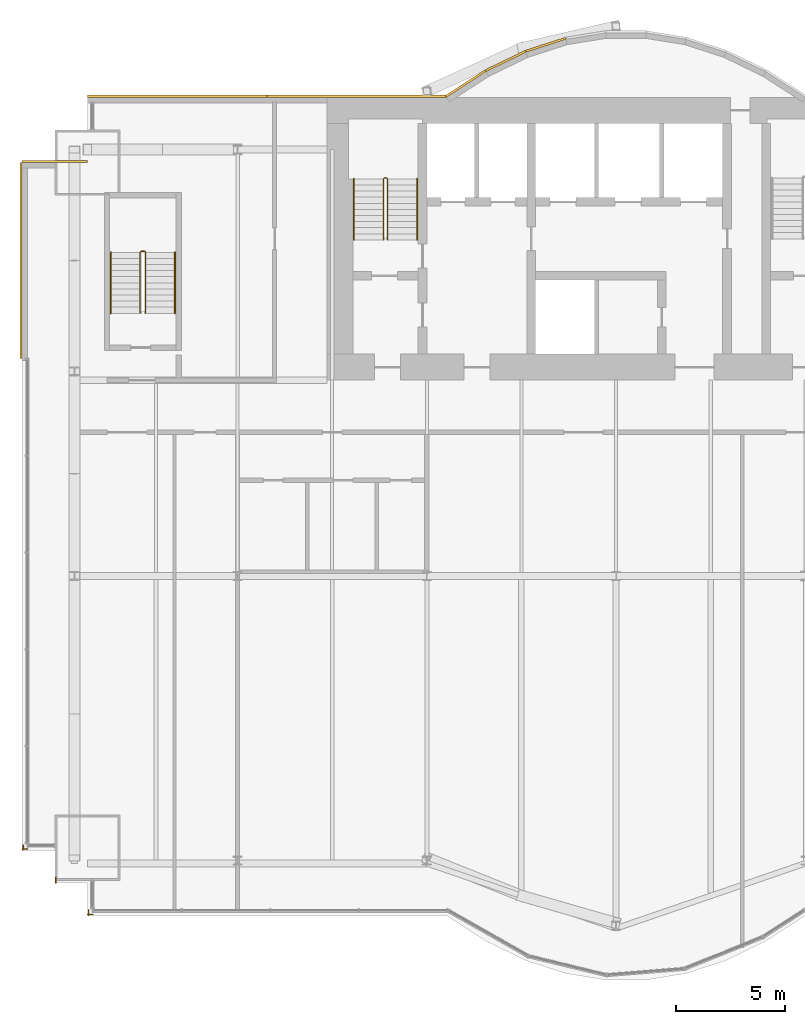
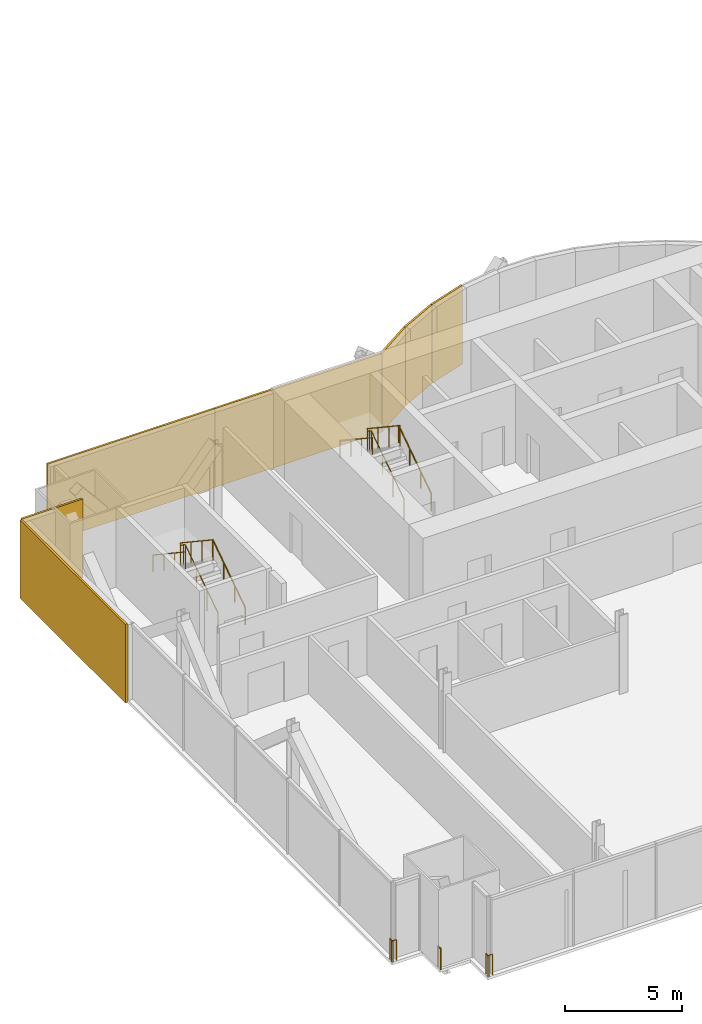
# One storey, part 19 of 21: 9 railings, 7 coverings.
"""IFC4 building model written with IfcOpenShell, lengths in metres."""

from ifc_helpers import new_model, si_unit, direction, frame, origin, origin_2d, place, context, subcontext, project, spatial, rectangle, circle, extrude, material, layer, layer_set, type_object, element, save


model = new_model("IFC4")

# Units and contexts
model_context = context("Model", 3, precision=1e-05, world=origin(), true_north=direction((0.0, 1.0)))
body_context = subcontext(model_context, "Body", "Model", "MODEL_VIEW")
ifc_project = project(units=[si_unit("LENGTHUNIT", "METRE"), si_unit("AREAUNIT", "SQUARE_METRE"), si_unit("VOLUMEUNIT", "CUBIC_METRE"), si_unit("PLANEANGLEUNIT", "RADIAN"), si_unit("MASSUNIT", "GRAM", prefix="KILO")], contexts=[model_context])

# Site, building, storey
site_placement = place(None, origin())
site = spatial("IfcSite", under=ifc_project, at=site_placement, CompositionType="ELEMENT")
building_placement = place(site_placement, origin())
building = spatial("IfcBuilding", under=site, at=building_placement, Name="Bicima Exchange Tower", CompositionType="ELEMENT")
storey_placement = place(building_placement, frame((0.0, 0.0, 114.5)))
storey = spatial("IfcBuildingStorey", under=building, at=storey_placement, Name="L24", CompositionType="ELEMENT", Elevation=114.5)

# Coverings
ifc_material_1 = material(Name="Bronze metal cladding")
ifc_layer_1 = layer(ifc_material_1, 0.004)
ifc_material_2 = material(Name="Ventilated cavity")
ifc_layer_2 = layer(ifc_material_2, 0.06)
ifc_material_3 = material(Name="Galvanised steel rail and mineral wool", Category="steel")
ifc_layer_3 = layer(ifc_material_3, 0.036)
ifc_layer_set = layer_set([ifc_layer_1, ifc_layer_2, ifc_layer_3], Name="Ventilated cavity")
covering_type = type_object("IfcCoveringType", Name="Bronze metal cladding panel 100", PredefinedType="CLADDING", material=ifc_layer_set)
covering_1_placement = place(storey_placement, frame((-11.931884765625, 2.41796875, -0.150146484375), z_axis=(0.0, 0.0, 1.0), x_axis=(-0.951524642381, -0.307572519808, 0.0)))
element("IfcCovering", 1, at=covering_1_placement, inside=storey, type_object=covering_type, Name="Bronze cladding L24 17.1", PredefinedType="CLADDING", context=body_context, shape_type="SweptSolid", body=[
    extrude(rectangle(XDim=1.9267578125, YDim=0.10009765625, at=origin_2d()), origin(), (0.0, 0.0, 1.0), 4.10009765625),
])
covering_2_placement = place(storey_placement, frame((-13.771728515625, 1.674560546875, -0.150146484375), z_axis=(0.0, 0.0, 1.0), x_axis=(-0.899818346812, -0.436264762204, 0.0)))
element("IfcCovering", 2, at=covering_2_placement, inside=storey, type_object=covering_type, Name="Bronze cladding L24 18.1", PredefinedType="CLADDING", context=body_context, shape_type="SweptSolid", body=[
    extrude(rectangle(XDim=2.03759765625, YDim=0.10009765625, at=origin_2d()), origin(), (0.0, 0.0, 1.0), 4.10009765625),
])
covering_3_placement = place(storey_placement, frame((-15.610595703125, 0.634521484375, -0.150146484375), z_axis=(0.0, 0.0, 1.0), x_axis=(-0.839790466384, -0.542910648791, 0.0)))
element("IfcCovering", 3, at=covering_3_placement, inside=storey, type_object=covering_type, Name="Bronze cladding L24 19.1", PredefinedType="CLADDING", context=body_context, shape_type="SweptSolid", body=[
    extrude(rectangle(XDim=2.18310546875, YDim=0.10009765625, at=origin_2d()), origin(), (0.0, 0.0, 1.0), 4.10009765625),
])
for number, where, z_axis, x_axis, name in (
    (4, (-20.625, 0.050048828125, -0.150146484375), (0.0, 0.0, 1.0), (-1.0, 0.0, 0.0), "Bronze cladding L24 20.1"),
    (5, (-28.875, 0.050048828125, -0.150146484375), (0.0, 0.0, 1.0), (-1.0, 0.0, 0.0), "Bronze cladding L24 20.2"),
):
    element("IfcCovering", number, at=place(storey_placement, frame(where, z_axis=z_axis, x_axis=x_axis)), inside=storey, type_object=covering_type, Name=name, PredefinedType="CLADDING", context=body_context, shape_type="SweptSolid", body=[
        extrude(rectangle(XDim=8.25, YDim=0.10009765625, at=origin_2d()), origin(), (0.0, 0.0, 1.0), 4.10009765625),
    ])
covering_4_placement = place(storey_placement, frame((-34.5, -2.949951171875, -0.150146484375), z_axis=(0.0, 0.0, 1.0), x_axis=(-1.0, 0.0, 0.0)))
element("IfcCovering", 6, at=covering_4_placement, inside=storey, type_object=covering_type, Name="Bronze cladding L24 22.1", PredefinedType="CLADDING", context=body_context, shape_type="SweptSolid", body=[
    extrude(rectangle(XDim=3.0, YDim=0.10009765625, at=origin_2d()), origin(), (0.0, 0.0, 1.0), 4.10009765625),
])
covering_5_placement = place(storey_placement, frame((-36.050048828125, -7.5, -0.150146484375), z_axis=(0.0, 0.0, 1.0), x_axis=(0.0, -1.0, 0.0)))
element("IfcCovering", 7, at=covering_5_placement, inside=storey, type_object=covering_type, Name="Bronze cladding L24 23.1", PredefinedType="CLADDING", context=body_context, shape_type="SweptSolid", body=[
    extrude(rectangle(XDim=9.0, YDim=0.10009765625, at=origin_2d()), origin(), (0.0, 0.0, 1.0), 4.10009765625),
])

# Railings
ifc_material_4 = material(Name="Stainless steel and bonded safety glass", Category="steel")
railing_type_1 = type_object("IfcRailingType", Name="Edge guard 1100", PredefinedType="GUARDRAIL", material=ifc_material_4)
railing_1_placement = place(storey_placement, frame((-35.75, -34.55810546875, 0.0)))
element("IfcRailing", 8, at=railing_1_placement, inside=storey, type_object=railing_type_1, Name="Edge guard L24 115", PredefinedType="GUARDRAIL", context=body_context, shape_type="SweptSolid", body=[
    extrude(circle(Radius=0.02392578125, at=origin_2d()), frame((0.0, 0.0, 1.076171875), z_axis=(-1.0, 0.0, 0.0), x_axis=(0.0, -1.0, 0.0)), (0.0, 0.0, 1.0), 0.25),
    extrude(circle(Radius=0.02392578125, at=origin_2d()), frame((-0.25, 0.0, 1.076171875), z_axis=(0.708833529934, -0.705375805398, 0.0), x_axis=(0.705375805398, 0.708833529934, 0.0)), (0.0, 0.0, 1.0), 0.070556640625),
    extrude(circle(Radius=0.02392578125, at=origin_2d()), frame((-0.199951171875, -0.0498046875, 1.076171875), z_axis=(0.0, 1.0, 0.0), x_axis=(-1.0, 0.0, 0.0)), (0.0, 0.0, 1.0), 0.2490234375),
    extrude(circle(Radius=0.02099609375, at=origin_2d()), origin(), (0.0, 0.0, 1.0), 1.052001953125),
    extrude(circle(Radius=0.02099609375, at=origin_2d()), frame((-0.25, 0.0, 0.0)), (0.0, 0.0, 1.0), 1.052001953125),
    extrude(circle(Radius=0.02099609375, at=origin_2d()), frame((-0.199951171875, -0.0498046875, 0.0)), (0.0, 0.0, 1.0), 1.052001953125),
    extrude(circle(Radius=0.02099609375, at=origin_2d()), frame((-0.199951171875, 0.19921875, 0.0)), (0.0, 0.0, 1.0), 1.052001953125),
])
railing_2_placement = place(storey_placement, frame((-32.75, -37.55810546875, 0.0)))
element("IfcRailing", 9, at=railing_2_placement, inside=storey, type_object=railing_type_1, Name="Edge guard L24 119", PredefinedType="GUARDRAIL", context=body_context, shape_type="SweptSolid", body=[
    extrude(circle(Radius=0.02392578125, at=origin_2d()), frame((0.0, 0.0, 1.076171875), z_axis=(-1.0, 0.0, 0.0), x_axis=(0.0, -1.0, 0.0)), (0.0, 0.0, 1.0), 0.25),
    extrude(circle(Radius=0.02392578125, at=origin_2d()), frame((-0.25, 0.0, 1.076171875), z_axis=(0.708833529934, -0.705375805398, 0.0), x_axis=(0.705375805398, 0.708833529934, 0.0)), (0.0, 0.0, 1.0), 0.070556640625),
    extrude(circle(Radius=0.02392578125, at=origin_2d()), frame((-0.199951171875, -0.0498046875, 1.076171875), z_axis=(0.0, 1.0, 0.0), x_axis=(-1.0, 0.0, 0.0)), (0.0, 0.0, 1.0), 0.25),
    extrude(circle(Radius=0.02099609375, at=origin_2d()), origin(), (0.0, 0.0, 1.0), 1.052001953125),
    extrude(circle(Radius=0.02099609375, at=origin_2d()), frame((-0.25, 0.0, 0.0)), (0.0, 0.0, 1.0), 1.052001953125),
    extrude(circle(Radius=0.02099609375, at=origin_2d()), frame((-0.199951171875, -0.0498046875, 0.0)), (0.0, 0.0, 1.0), 1.052001953125),
    extrude(circle(Radius=0.02099609375, at=origin_2d()), frame((-0.199951171875, 0.2001953125, 0.0)), (0.0, 0.0, 1.0), 1.052001953125),
])
railing_3_placement = place(storey_placement, frame((-34.449951171875, -36.10791015625, 0.0)))
element("IfcRailing", 10, at=railing_3_placement, inside=storey, type_object=railing_type_1, Name="Edge guard L24 120", PredefinedType="GUARDRAIL", context=body_context, shape_type="SweptSolid", body=[
    extrude(circle(Radius=0.02392578125, at=origin_2d()), frame((0.0, 0.0, 1.076171875), z_axis=(0.0, 1.0, 0.0), x_axis=(-1.0, 0.0, 0.0)), (0.0, 0.0, 1.0), 0.25),
    extrude(circle(Radius=0.02099609375, at=origin_2d()), origin(), (0.0, 0.0, 1.0), 1.052001953125),
    extrude(circle(Radius=0.02099609375, at=origin_2d()), frame((0.0, 0.25, 0.0)), (0.0, 0.0, 1.0), 1.052001953125),
])
ifc_material_5 = material(Name="Stainless steel", Category="steel")
railing_type_2 = type_object("IfcRailingType", Name="Stair guard 1100", PredefinedType="GUARDRAIL", material=ifc_material_5)
railing_4_placement = place(storey_placement, frame((-19.199951171875, -6.550048828125, 0.186279296875)))
element("IfcRailing", 11, at=railing_4_placement, inside=storey, type_object=railing_type_2, Name="L24 ST-W stair guard 1", PredefinedType="GUARDRAIL", context=body_context, shape_type="SweptSolid", body=[
    extrude(circle(Radius=0.02392578125, at=origin_2d()), frame((0.0, 0.0, 1.076171875), z_axis=(0.0, 0.832452072856, 0.554097055034), x_axis=(-1.0, 0.0, 0.0)), (0.0, 0.0, 1.0), 3.363525390625),
    extrude(circle(Radius=0.02392578125, at=origin_2d()), frame((0.0, 2.800048828125, 2.93994140625), z_axis=(-0.707106781187, 0.707106781187, 0.0), x_axis=(-0.707106781187, -0.707106781187, 0.0)), (0.0, 0.0, 1.0), 0.07080078125),
    extrude(circle(Radius=0.02392578125, at=origin_2d()), frame((-0.050048828125, 2.85009765625, 2.93994140625), z_axis=(-1.0, 0.0, 0.0), x_axis=(0.0, -1.0, 0.0)), (0.0, 0.0, 1.0), 0.10009765625),
    extrude(circle(Radius=0.02392578125, at=origin_2d()), frame((-0.150146484375, 2.85009765625, 2.93994140625), z_axis=(-0.250008635948, -0.251234168477, 0.935081319748), x_axis=(0.708833529934, -0.705375805398, 0.0)), (0.0, 0.0, 1.0), 0.19921875),
    extrude(circle(Radius=0.02392578125, at=origin_2d()), frame((-0.199951171875, 2.800048828125, 3.1259765625), z_axis=(0.0, -0.832452072856, 0.554097055034), x_axis=(1.0, 0.0, 0.0)), (0.0, 0.0, 1.0), 3.363525390625),
    extrude(circle(Radius=0.02099609375, at=origin_2d()), origin(), (0.0, 0.0, 1.0), 1.052001953125),
    extrude(circle(Radius=0.02099609375, at=origin_2d()), frame((0.0, 0.933349609375, 0.621337890625)), (0.0, 0.0, 1.0), 1.052001953125),
    extrude(circle(Radius=0.02099609375, at=origin_2d()), frame((0.0, 1.86669921875, 1.242431640625)), (0.0, 0.0, 1.0), 1.052001953125),
    extrude(circle(Radius=0.02099609375, at=origin_2d()), frame((0.0, 2.800048828125, 1.86376953125)), (0.0, 0.0, 1.0), 1.052001953125),
    extrude(circle(Radius=0.02099609375, at=origin_2d()), frame((-0.050048828125, 2.85009765625, 1.86376953125)), (0.0, 0.0, 1.0), 1.052001953125),
    extrude(circle(Radius=0.02099609375, at=origin_2d()), frame((-0.150146484375, 2.85009765625, 1.86376953125)), (0.0, 0.0, 1.0), 1.052001953125),
    extrude(circle(Radius=0.02099609375, at=origin_2d()), frame((-0.199951171875, 2.800048828125, 2.050048828125)), (0.0, 0.0, 1.0), 1.052001953125),
    extrude(circle(Radius=0.02099609375, at=origin_2d()), frame((-0.199951171875, 1.86669921875, 2.67138671875)), (0.0, 0.0, 1.0), 1.052001953125),
    extrude(circle(Radius=0.02099609375, at=origin_2d()), frame((-0.199951171875, 0.933349609375, 3.29248046875)), (0.0, 0.0, 1.0), 1.052001953125),
    extrude(circle(Radius=0.02099609375, at=origin_2d()), frame((-0.199951171875, 0.0, 3.913818359375)), (0.0, 0.0, 1.0), 1.052001953125),
])
railing_5_placement = place(storey_placement, frame((-30.324951171875, -9.925048828125, 0.186279296875)))
element("IfcRailing", 12, at=railing_5_placement, inside=storey, type_object=railing_type_2, Name="L24 ST-WW stair guard 1", PredefinedType="GUARDRAIL", context=body_context, shape_type="SweptSolid", body=[
    extrude(circle(Radius=0.02392578125, at=origin_2d()), frame((0.0, 0.0, 1.076171875), z_axis=(0.0, 0.832452072856, 0.554097055034), x_axis=(-1.0, 0.0, 0.0)), (0.0, 0.0, 1.0), 3.363525390625),
    extrude(circle(Radius=0.02392578125, at=origin_2d()), frame((0.0, 2.800048828125, 2.93994140625), z_axis=(-0.707106781187, 0.707106781187, 0.0), x_axis=(-0.707106781187, -0.707106781187, 0.0)), (0.0, 0.0, 1.0), 0.07080078125),
    extrude(circle(Radius=0.02392578125, at=origin_2d()), frame((-0.050048828125, 2.85009765625, 2.93994140625), z_axis=(-1.0, 0.0, 0.0), x_axis=(0.0, -1.0, 0.0)), (0.0, 0.0, 1.0), 0.14990234375),
    extrude(circle(Radius=0.02392578125, at=origin_2d()), frame((-0.199951171875, 2.85009765625, 2.93994140625), z_axis=(-0.251157038772, -0.251157038772, 0.934794246747), x_axis=(0.707106781187, -0.707106781187, 0.0)), (0.0, 0.0, 1.0), 0.19921875),
    extrude(circle(Radius=0.02392578125, at=origin_2d()), frame((-0.25, 2.800048828125, 3.1259765625), z_axis=(0.0, -0.832452072856, 0.554097055034), x_axis=(1.0, 0.0, 0.0)), (0.0, 0.0, 1.0), 3.363525390625),
    extrude(circle(Radius=0.02099609375, at=origin_2d()), origin(), (0.0, 0.0, 1.0), 1.052001953125),
    extrude(circle(Radius=0.02099609375, at=origin_2d()), frame((0.0, 0.933349609375, 0.621337890625)), (0.0, 0.0, 1.0), 1.052001953125),
    extrude(circle(Radius=0.02099609375, at=origin_2d()), frame((0.0, 1.86669921875, 1.242431640625)), (0.0, 0.0, 1.0), 1.052001953125),
    extrude(circle(Radius=0.02099609375, at=origin_2d()), frame((0.0, 2.800048828125, 1.86376953125)), (0.0, 0.0, 1.0), 1.052001953125),
    extrude(circle(Radius=0.02099609375, at=origin_2d()), frame((-0.050048828125, 2.85009765625, 1.86376953125)), (0.0, 0.0, 1.0), 1.052001953125),
    extrude(circle(Radius=0.02099609375, at=origin_2d()), frame((-0.199951171875, 2.85009765625, 1.86376953125)), (0.0, 0.0, 1.0), 1.052001953125),
    extrude(circle(Radius=0.02099609375, at=origin_2d()), frame((-0.25, 2.800048828125, 2.050048828125)), (0.0, 0.0, 1.0), 1.052001953125),
    extrude(circle(Radius=0.02099609375, at=origin_2d()), frame((-0.25, 1.86669921875, 2.67138671875)), (0.0, 0.0, 1.0), 1.052001953125),
    extrude(circle(Radius=0.02099609375, at=origin_2d()), frame((-0.25, 0.933349609375, 3.29248046875)), (0.0, 0.0, 1.0), 1.052001953125),
    extrude(circle(Radius=0.02099609375, at=origin_2d()), frame((-0.25, 0.0, 3.913818359375)), (0.0, 0.0, 1.0), 1.052001953125),
])
railing_type_3 = type_object("IfcRailingType", Name="Stair handrail 900", PredefinedType="HANDRAIL", material=ifc_material_5)
railing_6_placement = place(storey_placement, frame((-17.85009765625, -6.550048828125, 0.186279296875)))
element("IfcRailing", 13, at=railing_6_placement, inside=storey, type_object=railing_type_3, Name="L24 ST-W stair handrail 1", PredefinedType="HANDRAIL", context=body_context, shape_type="SweptSolid", body=[
    extrude(circle(Radius=0.02392578125, at=origin_2d()), frame((0.0, 0.0, 0.8759765625), z_axis=(0.0, 0.832452072856, 0.554097055034), x_axis=(-1.0, 0.0, 0.0)), (0.0, 0.0, 1.0), 3.363525390625),
    extrude(circle(Radius=0.02099609375, at=origin_2d()), origin(), (0.0, 0.0, 1.0), 0.851806640625),
    extrude(circle(Radius=0.02099609375, at=origin_2d()), frame((0.0, 0.933349609375, 0.621337890625)), (0.0, 0.0, 1.0), 0.851806640625),
    extrude(circle(Radius=0.02099609375, at=origin_2d()), frame((0.0, 1.86669921875, 1.242431640625)), (0.0, 0.0, 1.0), 0.851806640625),
    extrude(circle(Radius=0.02099609375, at=origin_2d()), frame((0.0, 2.800048828125, 1.86376953125)), (0.0, 0.0, 1.0), 0.851806640625),
])
railing_7_placement = place(storey_placement, frame((-20.75, -3.75, 2.27685546875)))
element("IfcRailing", 14, at=railing_7_placement, inside=storey, type_object=railing_type_3, Name="L24 ST-W stair handrail 2", PredefinedType="HANDRAIL", context=body_context, shape_type="SweptSolid", body=[
    extrude(circle(Radius=0.02392578125, at=origin_2d()), frame((0.0, 0.0, 0.8759765625), z_axis=(0.0, -0.832485552168, 0.554046753832), x_axis=(1.0, 0.0, 0.0)), (0.0, 0.0, 1.0), 3.363525390625),
    extrude(circle(Radius=0.02099609375, at=origin_2d()), origin(), (0.0, 0.0, 1.0), 0.851806640625),
    extrude(circle(Radius=0.02099609375, at=origin_2d()), frame((0.0, -0.933349609375, 0.62109375)), (0.0, 0.0, 1.0), 0.851806640625),
    extrude(circle(Radius=0.02099609375, at=origin_2d()), frame((0.0, -1.86669921875, 1.242431640625)), (0.0, 0.0, 1.0), 0.851806640625),
    extrude(circle(Radius=0.02099609375, at=origin_2d()), frame((0.0, -2.800048828125, 1.863525390625)), (0.0, 0.0, 1.0), 0.851806640625),
])
railing_8_placement = place(storey_placement, frame((-28.97509765625, -9.925048828125, 0.186279296875)))
element("IfcRailing", 15, at=railing_8_placement, inside=storey, type_object=railing_type_3, Name="L24 ST-WW stair handrail 1", PredefinedType="HANDRAIL", context=body_context, shape_type="SweptSolid", body=[
    extrude(circle(Radius=0.02392578125, at=origin_2d()), frame((0.0, 0.0, 0.8759765625), z_axis=(0.0, 0.832452072856, 0.554097055034), x_axis=(-1.0, 0.0, 0.0)), (0.0, 0.0, 1.0), 3.363525390625),
    extrude(circle(Radius=0.02099609375, at=origin_2d()), origin(), (0.0, 0.0, 1.0), 0.851806640625),
    extrude(circle(Radius=0.02099609375, at=origin_2d()), frame((0.0, 0.933349609375, 0.621337890625)), (0.0, 0.0, 1.0), 0.851806640625),
    extrude(circle(Radius=0.02099609375, at=origin_2d()), frame((0.0, 1.86669921875, 1.242431640625)), (0.0, 0.0, 1.0), 0.851806640625),
    extrude(circle(Radius=0.02099609375, at=origin_2d()), frame((0.0, 2.800048828125, 1.86376953125)), (0.0, 0.0, 1.0), 0.851806640625),
])
railing_9_placement = place(storey_placement, frame((-31.925048828125, -7.125, 2.27685546875)))
element("IfcRailing", 16, at=railing_9_placement, inside=storey, type_object=railing_type_3, Name="L24 ST-WW stair handrail 2", PredefinedType="HANDRAIL", context=body_context, shape_type="SweptSolid", body=[
    extrude(circle(Radius=0.02392578125, at=origin_2d()), frame((0.0, 0.0, 0.8759765625), z_axis=(0.0, -0.832485552168, 0.554046753832), x_axis=(1.0, 0.0, 0.0)), (0.0, 0.0, 1.0), 3.363525390625),
    extrude(circle(Radius=0.02099609375, at=origin_2d()), origin(), (0.0, 0.0, 1.0), 0.851806640625),
    extrude(circle(Radius=0.02099609375, at=origin_2d()), frame((0.0, -0.933349609375, 0.62109375)), (0.0, 0.0, 1.0), 0.851806640625),
    extrude(circle(Radius=0.02099609375, at=origin_2d()), frame((0.0, -1.86669921875, 1.242431640625)), (0.0, 0.0, 1.0), 0.851806640625),
    extrude(circle(Radius=0.02099609375, at=origin_2d()), frame((0.0, -2.800048828125, 1.863525390625)), (0.0, 0.0, 1.0), 0.851806640625),
])

save(model, "model.ifc")
